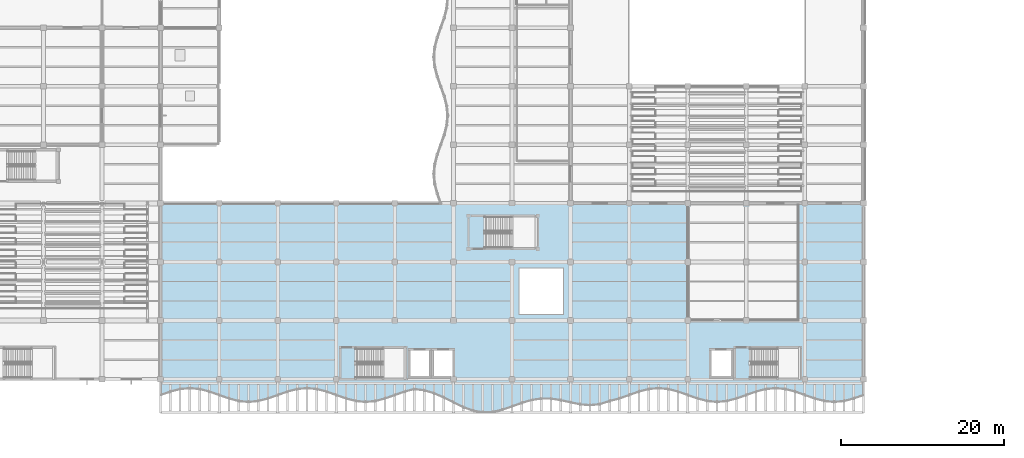
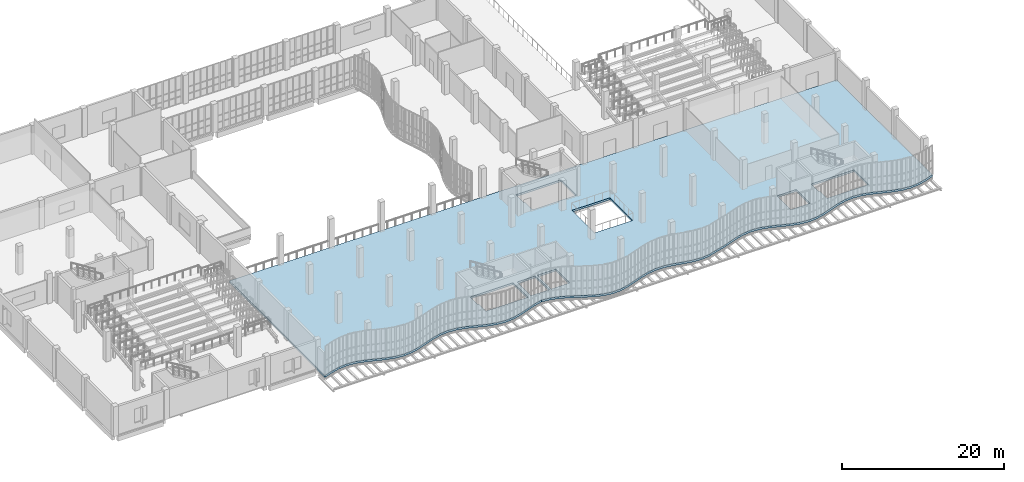
# One storey, part 79 of 108: 1 slab.
"""IFC4 building model written with IfcOpenShell, lengths in metres."""

from ifc_helpers import new_model, si_unit, direction, frame, origin, place, context, subcontext, project, spatial, polyline, outline, extrude, material, layer, layer_set, type_object, element, save


model = new_model("IFC4")

# Units and contexts
model_context = context("Model", 3, precision=1e-05, world=origin(), true_north=direction((0.0, 1.0)))
body_context = subcontext(model_context, "Body", "Model", "MODEL_VIEW")
ifc_project = project(units=[si_unit("LENGTHUNIT", "METRE"), si_unit("AREAUNIT", "SQUARE_METRE"), si_unit("VOLUMEUNIT", "CUBIC_METRE"), si_unit("PLANEANGLEUNIT", "RADIAN"), si_unit("MASSUNIT", "GRAM", prefix="KILO"), si_unit("THERMODYNAMICTEMPERATUREUNIT", "KELVIN"), si_unit("POWERUNIT", "WATT")], contexts=[model_context])

# Site, building, storey
site_placement = place(None, origin())
site = spatial("IfcSite", under=ifc_project, at=site_placement, CompositionType="ELEMENT")
building_placement = place(site_placement, origin())
building = spatial("IfcBuilding", under=site, at=building_placement, Name="Kaldorven Railside Theatre", CompositionType="ELEMENT")
storey_placement = place(building_placement, frame((0.0, 0.0, 5.39990234375)))
storey = spatial("IfcBuildingStorey", under=building, at=storey_placement, Name="L01", CompositionType="ELEMENT", Elevation=5.39990234375)

# Slab
ifc_material = material(Name="Concrete C35/45", Category="concrete")
ifc_layer = layer(ifc_material, 0.300048828125, Name="Concrete C35/45")
ifc_layer_set = layer_set([ifc_layer], Name="Concrete C35/45")
slab_type = type_object("IfcSlabType", Name="SLB-FSL-300", PredefinedType="FLOOR", material=ifc_layer_set)
slab_placement = place(storey_placement, frame((0.0, 0.0, -0.2998046875)))
element("IfcSlab", 1, at=slab_placement, inside=storey, type_object=slab_type, Name="L01 Floor Slab SL-L01-V5S", PredefinedType="FLOOR", context=body_context, shape_type="SweptSolid", body=[
    extrude(outline(polyline([(36.800048828125, 17.25), (38.0, 17.675048828125), (39.199951171875, 17.986083984375), (40.39990234375, 18.10009765625), (41.60009765625, 17.986083984375), (42.800048828125, 17.675048828125), (44.0, 17.25), (45.199951171875, 16.824951171875), (46.39990234375, 16.513916015625), (47.60009765625, 16.39990234375), (48.800048828125, 16.513916015625), (50.0, 16.824951171875), (51.199951171875, 17.25), (52.39990234375, 17.675048828125), (53.60009765625, 17.986083984375), (54.800048828125, 18.10009765625), (56.0, 17.986083984375), (57.199951171875, 17.675048828125), (58.39990234375, 17.25), (59.60009765625, 16.824951171875), (60.800048828125, 16.513916015625), (62.0, 16.39990234375), (63.199951171875, 16.513916015625), (64.39990234375, 16.824951171875), (65.60009765625, 17.25), (66.800048828125, 17.675048828125), (68.0, 17.986083984375), (69.199951171875, 17.830322265625), (70.39990234375, 17.476318359375), (71.60009765625, 16.954345703125), (72.800048828125, 16.347412109375), (74.0, 15.768798828125), (75.199951171875, 15.332275390625), (76.39990234375, 15.12109375), (77.60009765625, 15.165771484375), (78.800048828125, 15.435302734375), (80.0, 15.846435546875), (81.199951171875, 16.285400390625), (82.39990234375, 16.637939453125), (83.60009765625, 16.8212890625), (84.800048828125, 16.8046875), (86.0, 16.618896484375), (87.199951171875, 16.347412109375), (88.39990234375, 16.1044921875), (89.60009765625, 16.004150390625), (90.800048828125, 16.13037109375), (92.0, 16.513916015625), (93.199951171875, 16.824951171875), (94.39990234375, 17.25), (95.60009765625, 17.675048828125), (96.800048828125, 17.986083984375), (98.0, 18.10009765625), (99.199951171875, 17.986083984375), (100.39990234375, 17.675048828125), (101.60009765625, 17.25), (102.800048828125, 16.824951171875), (104.0, 16.513916015625), (105.199951171875, 16.39990234375), (106.39990234375, 16.513916015625), (107.60009765625, 16.824951171875), (108.800048828125, 17.25), (110.0, 17.675048828125), (111.199951171875, 17.986083984375), (112.39990234375, 18.10009765625), (113.60009765625, 17.986083984375), (114.800048828125, 17.675048828125), (116.0, 17.25), (117.199951171875, 16.824951171875), (118.39990234375, 16.513916015625), (119.60009765625, 16.39990234375), (120.800048828125, 16.513916015625), (122.0, 16.824951171875), (123.199951171875, 17.25), (123.199951171875, 40.800048828125), (36.800048828125, 40.800048828125), (36.800048828125, 17.25)]), holes=[polyline([(60.75, 22.949951171875), (66.85009765625, 22.949951171875), (66.85009765625, 19.35009765625), (60.89990234375, 19.35009765625), (60.89990234375, 21.070068359375), (60.75, 21.070068359375), (60.75, 22.949951171875)]), polyline([(109.25, 22.949951171875), (115.35009765625, 22.949951171875), (115.35009765625, 19.35009765625), (109.39990234375, 19.35009765625), (109.39990234375, 21.070068359375), (109.25, 21.070068359375), (109.25, 22.949951171875)]), polyline([(76.60009765625, 39.14990234375), (83.0, 39.14990234375), (83.0, 35.35009765625), (76.75, 35.35009765625), (76.75, 37.169921875), (76.60009765625, 37.169921875), (76.60009765625, 39.14990234375)]), polyline([(69.949951171875, 19.449951171875), (69.949951171875, 22.85009765625), (67.35009765625, 22.85009765625), (67.35009765625, 19.449951171875), (69.949951171875, 19.449951171875)]), polyline([(72.85009765625, 19.449951171875), (72.85009765625, 22.85009765625), (70.25, 22.85009765625), (70.25, 19.449951171875), (72.85009765625, 19.449951171875)]), polyline([(107.050048828125, 19.449951171875), (107.050048828125, 22.85009765625), (104.35009765625, 22.85009765625), (104.35009765625, 19.449951171875), (107.050048828125, 19.449951171875)]), polyline([(80.89990234375, 27.199951171875), (86.300048828125, 27.199951171875), (86.300048828125, 32.800048828125), (80.89990234375, 32.800048828125), (80.89990234375, 27.199951171875)])]), origin(), (0.0, 0.0, 1.0), 0.2998046875),
])

save(model, "model.ifc")
